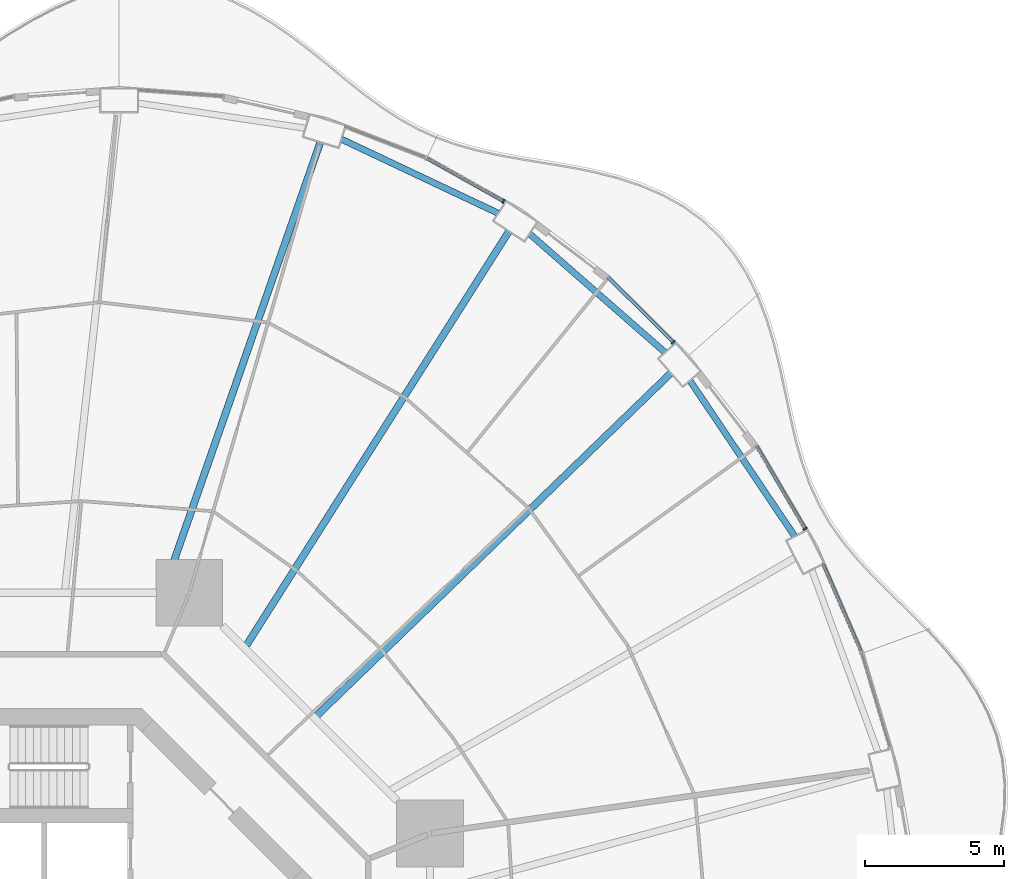
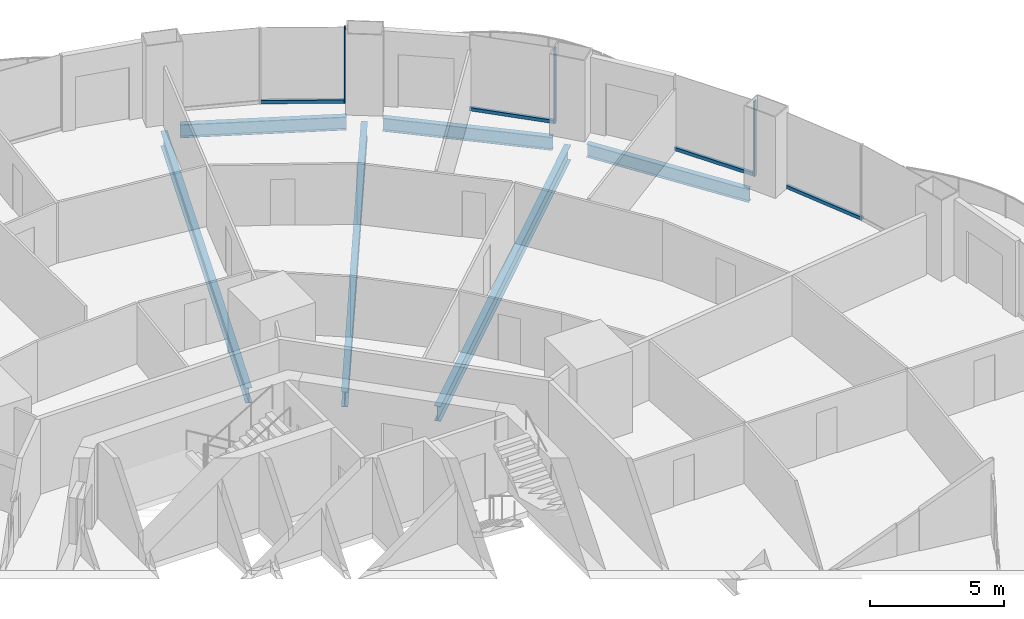
# One storey, part 10 of 22: 7 members, 6 beams, 4 elements without a shape of their own.
"""IFC4 building model written with IfcOpenShell, lengths in metres."""

from ifc_helpers import new_model, si_unit, direction, frame, origin, origin_2d, place, context, subcontext, project, spatial, rectangle, i_section, extrude, material, layer, layer_set, material_profile, profile_set, type_object, element, aggregate, save


model = new_model("IFC4")

# Units and contexts
model_context = context("Model", 3, precision=1e-05, world=origin(), true_north=direction((0.0, 1.0)))
body_context = subcontext(model_context, "Body", "Model", "MODEL_VIEW")
ifc_project = project(units=[si_unit("LENGTHUNIT", "METRE"), si_unit("AREAUNIT", "SQUARE_METRE"), si_unit("VOLUMEUNIT", "CUBIC_METRE"), si_unit("PLANEANGLEUNIT", "RADIAN"), si_unit("MASSUNIT", "GRAM", prefix="KILO")], contexts=[model_context])

# Site, building, storey
site_placement = place(None, origin())
site = spatial("IfcSite", under=ifc_project, at=site_placement, CompositionType="ELEMENT")
building_placement = place(site_placement, origin())
building = spatial("IfcBuilding", under=site, at=building_placement, Name="Nagisa Residences", CompositionType="ELEMENT")
storey_placement = place(building_placement, frame((0.0, 0.0, 45.5)))
storey = spatial("IfcBuildingStorey", under=building, at=storey_placement, Name="L10", CompositionType="ELEMENT", Elevation=45.5)

# Curtain wall, member
ifc_material_1 = material(Name="Concrete-coloured aluminium curtain wall system", Category="concrete")
ifc_layer = layer(ifc_material_1, 0.159912109375)
ifc_layer_set = layer_set([ifc_layer], Name="CW1 CURTAIN WALL")
curtain_wall_type = type_object("IfcCurtainWallType", Name="CW1 CURTAIN WALL", PredefinedType="NOTDEFINED", material=ifc_layer_set)
curtain_wall_1_placement = place(storey_placement, origin())
curtain_wall_1 = element("IfcCurtainWall", 1, at=curtain_wall_1_placement, inside=storey, type_object=curtain_wall_type, Name="cw:CW1:L10:04", PredefinedType="NOTDEFINED")
ifc_material_2 = material(Name="Concrete-coloured aluminium", Category="concrete")
ifc_material_profile_1 = material_profile(ifc_material_2, rectangle(XDim=0.159912109375, YDim=0.06005859375, at=origin_2d()), Name="CW1 MULLION 160x60")
ifc_profile_set_1 = profile_set([ifc_material_profile_1], Name="Concrete-coloured aluminium")
member_type_1 = type_object("IfcMemberType", Name="CW1 MULLION 160x60", PredefinedType="MULLION", material=ifc_profile_set_1)
member_1_placement = place(storey_placement, frame((28.276123046875, 17.089111328125, 0.0), z_axis=(0.0, 0.0, 1.0), x_axis=(-0.862328898214, -0.506348567002, 0.0)))
member_1 = element("IfcMember", 2, at=member_1_placement, type_object=member_type_1, Name="CW1 mullion", PredefinedType="MULLION", context=body_context, shape_type="SweptSolid", body=[
    extrude(rectangle(XDim=0.159912109375, YDim=0.06005859375, at=origin_2d()), origin(), (0.0, 0.0, 1.0), 3.43994140625),
])

curtain_wall_2_placement = place(storey_placement, origin())
curtain_wall_2 = element("IfcCurtainWall", 3, at=curtain_wall_2_placement, inside=storey, type_object=curtain_wall_type, Name="cw:CW1:L10:06", PredefinedType="NOTDEFINED")
member_2_placement = place(storey_placement, frame((23.532958984375, 23.79345703125, 0.0), z_axis=(0.0, 0.0, 1.0), x_axis=(-0.706376885714, -0.707835924016, 0.0)))
member_2 = element("IfcMember", 4, at=member_2_placement, type_object=member_type_1, Name="CW1 mullion", PredefinedType="MULLION", context=body_context, shape_type="SweptSolid", body=[
    extrude(rectangle(XDim=0.159912109375, YDim=0.06005859375, at=origin_2d()), origin(), (0.0, 0.0, 1.0), 3.43994140625),
])

curtain_wall_3_placement = place(storey_placement, origin())
curtain_wall_3 = element("IfcCurtainWall", 5, at=curtain_wall_3_placement, inside=storey, type_object=curtain_wall_type, Name="cw:CW1:L10:08", PredefinedType="NOTDEFINED")
member_3_placement = place(storey_placement, frame((17.42431640625, 28.8662109375, 0.0), z_axis=(0.0, 0.0, 1.0), x_axis=(-0.489376918501, -0.872072377523, 0.0)))
member_3 = element("IfcMember", 6, at=member_3_placement, type_object=member_type_1, Name="CW1 mullion", PredefinedType="MULLION", context=body_context, shape_type="SweptSolid", body=[
    extrude(rectangle(XDim=0.159912109375, YDim=0.06005859375, at=origin_2d()), origin(), (0.0, 0.0, 1.0), 3.43994140625),
])

curtain_wall_4_placement = place(storey_placement, origin())
curtain_wall_4 = element("IfcCurtainWall", 7, at=curtain_wall_4_placement, inside=storey, type_object=curtain_wall_type, Name="cw:CW1:L10:03", PredefinedType="NOTDEFINED")
ifc_material_3 = material(Name="Concrete-coloured aluminium", Category="concrete")
ifc_material_profile_2 = material_profile(ifc_material_3, rectangle(XDim=0.1201171875, YDim=0.14990234375, at=origin_2d()), Name="CW1 TRANSOM 120x150")
ifc_profile_set_2 = profile_set([ifc_material_profile_2], Name="Concrete-coloured aluminium")
member_type_2 = type_object("IfcMemberType", Name="CW1 TRANSOM 120x150", PredefinedType="USERDEFINED", material=ifc_profile_set_2)
member_4_placement = place(storey_placement, frame((30.319091796875, 12.5966796875, 0.074951171875), z_axis=(-0.397624958345, 0.917548032803, 0.0), x_axis=(-0.917548032803, -0.397624958345, 0.0)))
member_4 = element("IfcMember", 8, at=member_4_placement, type_object=member_type_2, Name="CW1 transom", ObjectType="TRANSOM", PredefinedType="USERDEFINED", context=body_context, shape_type="SweptSolid", body=[
    extrude(rectangle(XDim=0.1201171875, YDim=0.14990234375, at=origin_2d()), origin(), (0.0, 0.0, 1.0), 3.51953125),
])
aggregate(curtain_wall_4, [member_4])

# Member
member_5_placement = place(storey_placement, frame((28.291259765625, 17.063232421875, 0.074951171875), z_axis=(-0.506341951316, 0.862332782827, 0.0), x_axis=(-0.862332782827, -0.506341951316, 0.0)))
member_5 = element("IfcMember", 9, at=member_5_placement, type_object=member_type_2, Name="CW1 transom", ObjectType="TRANSOM", PredefinedType="USERDEFINED", context=body_context, shape_type="SweptSolid", body=[
    extrude(rectangle(XDim=0.1201171875, YDim=0.14990234375, at=origin_2d()), origin(), (0.0, 0.0, 1.0), 3.4619140625),
])

aggregate(curtain_wall_1, [member_1, member_5])

member_6_placement = place(storey_placement, frame((23.55419921875, 23.7724609375, 0.074951171875), z_axis=(-0.707876350734, 0.706336373176, 0.0), x_axis=(-0.706336373176, -0.707876350734, 0.0)))
member_6 = element("IfcMember", 10, at=member_6_placement, type_object=member_type_2, Name="CW1 transom", ObjectType="TRANSOM", PredefinedType="USERDEFINED", context=body_context, shape_type="SweptSolid", body=[
    extrude(rectangle(XDim=0.1201171875, YDim=0.14990234375, at=origin_2d()), origin(), (0.0, 0.0, 1.0), 3.329345703125),
])

aggregate(curtain_wall_2, [member_2, member_6])

member_7_placement = place(storey_placement, frame((17.450439453125, 28.8515625, 0.074951171875), z_axis=(-0.872070011948, 0.489381133946, 0.0), x_axis=(-0.489381133946, -0.872070011948, 0.0)))
member_7 = element("IfcMember", 11, at=member_7_placement, type_object=member_type_2, Name="CW1 transom", ObjectType="TRANSOM", PredefinedType="USERDEFINED", context=body_context, shape_type="SweptSolid", body=[
    extrude(rectangle(XDim=0.1201171875, YDim=0.14990234375, at=origin_2d()), origin(), (0.0, 0.0, 1.0), 3.201171875),
])

aggregate(curtain_wall_3, [member_3, member_7])

# Beams
ifc_material_4 = material(Name="Steel ASTM A572 Gr 50", Category="steel")
ifc_material_profile_3 = material_profile(ifc_material_4, i_section(OverallWidth=0.22802734375, OverallDepth=0.60302734375, WebThickness=0.010498046875, FlangeThickness=0.014892578125, at=origin_2d()), Name="W610x101")
ifc_profile_set_3 = profile_set([ifc_material_profile_3], Name="Steel ASTM A572 Gr 50")
beam_type_1 = type_object("IfcBeamType", Name="Perimeter ring beam W610x101", PredefinedType="BEAM", material=ifc_profile_set_3)
beam_1_placement = place(storey_placement, frame((27.899169921875, 16.818603515625, -0.5615234375), z_axis=(-0.558271879663, 0.829658067144, 0.0), x_axis=(-0.829658067144, -0.558271879663, 0.0)))
element("IfcBeam", 12, at=beam_1_placement, inside=storey, type_object=beam_type_1, Name="beam:L10:pb03", PredefinedType="BEAM", context=body_context, shape_type="SweptSolid", body=[
    extrude(i_section(OverallWidth=0.22802734375, OverallDepth=0.60302734375, WebThickness=0.010498046875, FlangeThickness=0.014892578125, at=origin_2d()), origin(), (0.0, 0.0, 1.0), 6.74169921875),
])
beam_2_placement = place(storey_placement, frame((23.236328125, 23.432861328125, -0.5615234375), z_axis=(-0.7525907186, 0.658488580217, 0.0), x_axis=(-0.658488580217, -0.7525907186, 0.0)))
element("IfcBeam", 13, at=beam_2_placement, inside=storey, type_object=beam_type_1, Name="beam:L10:pb04", PredefinedType="BEAM", context=body_context, shape_type="SweptSolid", body=[
    extrude(i_section(OverallWidth=0.22802734375, OverallDepth=0.60302734375, WebThickness=0.010498046875, FlangeThickness=0.014892578125, at=origin_2d()), origin(), (0.0, 0.0, 1.0), 6.470458984375),
])
beam_3_placement = place(storey_placement, frame((17.22900390625, 28.439208984375, -0.5615234375), z_axis=(-0.904215426643, 0.427076646774, 0.0), x_axis=(-0.427076646774, -0.904215426643, 0.0)))
element("IfcBeam", 14, at=beam_3_placement, inside=storey, type_object=beam_type_1, Name="beam:L10:pb05", PredefinedType="BEAM", context=body_context, shape_type="SweptSolid", body=[
    extrude(i_section(OverallWidth=0.22802734375, OverallDepth=0.60302734375, WebThickness=0.010498046875, FlangeThickness=0.014892578125, at=origin_2d()), origin(), (0.0, 0.0, 1.0), 6.2275390625),
])
ifc_material_5 = material(Name="Steel ASTM A572 Gr 50", Category="steel")
ifc_material_profile_4 = material_profile(ifc_material_5, i_section(OverallWidth=0.25390625, OverallDepth=0.68408203125, WebThickness=0.012451171875, FlangeThickness=0.018798828125, at=origin_2d()), Name="W690x140")
ifc_profile_set_4 = profile_set([ifc_material_profile_4], Name="Steel ASTM A572 Gr 50")
beam_type_2 = type_object("IfcBeamType", Name="Radial beam W690x140", PredefinedType="BEAM", material=ifc_profile_set_4)
beam_4_placement = place(storey_placement, frame((23.443115234375, 22.681640625, -0.60205078125), z_axis=(-0.718678305776, -0.695342716081, 0.0), x_axis=(0.695342716081, -0.718678305776, 0.0)))
element("IfcBeam", 15, at=beam_4_placement, inside=storey, type_object=beam_type_2, Name="beam:L10:rb04", PredefinedType="BEAM", context=body_context, shape_type="SweptSolid", body=[
    extrude(i_section(OverallWidth=0.25390625, OverallDepth=0.68408203125, WebThickness=0.012451171875, FlangeThickness=0.018798828125, at=origin_2d()), origin(), (0.0, 0.0, 1.0), 17.722900390625),
])
beam_5_placement = place(storey_placement, frame((17.61962890625, 27.78271484375, -0.60205078125), z_axis=(-0.53556610664, -0.844493306911, 0.0), x_axis=(0.844493306911, -0.53556610664, 0.0)))
element("IfcBeam", 16, at=beam_5_placement, inside=storey, type_object=beam_type_2, Name="beam:L10:rb05", PredefinedType="BEAM", context=body_context, shape_type="SweptSolid", body=[
    extrude(i_section(OverallWidth=0.25390625, OverallDepth=0.68408203125, WebThickness=0.012451171875, FlangeThickness=0.018798828125, at=origin_2d()), origin(), (0.0, 0.0, 1.0), 17.63525390625),
])
beam_6_placement = place(storey_placement, frame((10.834228515625, 30.986328125, -0.60205078125), z_axis=(-0.330051195485, -0.943963033364, 0.0), x_axis=(0.943963033364, -0.330051195485, 0.0)))
element("IfcBeam", 17, at=beam_6_placement, inside=storey, type_object=beam_type_2, Name="beam:L10:rb06", PredefinedType="BEAM", context=body_context, shape_type="SweptSolid", body=[
    extrude(i_section(OverallWidth=0.25390625, OverallDepth=0.68408203125, WebThickness=0.012451171875, FlangeThickness=0.018798828125, at=origin_2d()), origin(), (0.0, 0.0, 1.0), 17.045654296875),
])

save(model, "model.ifc")
